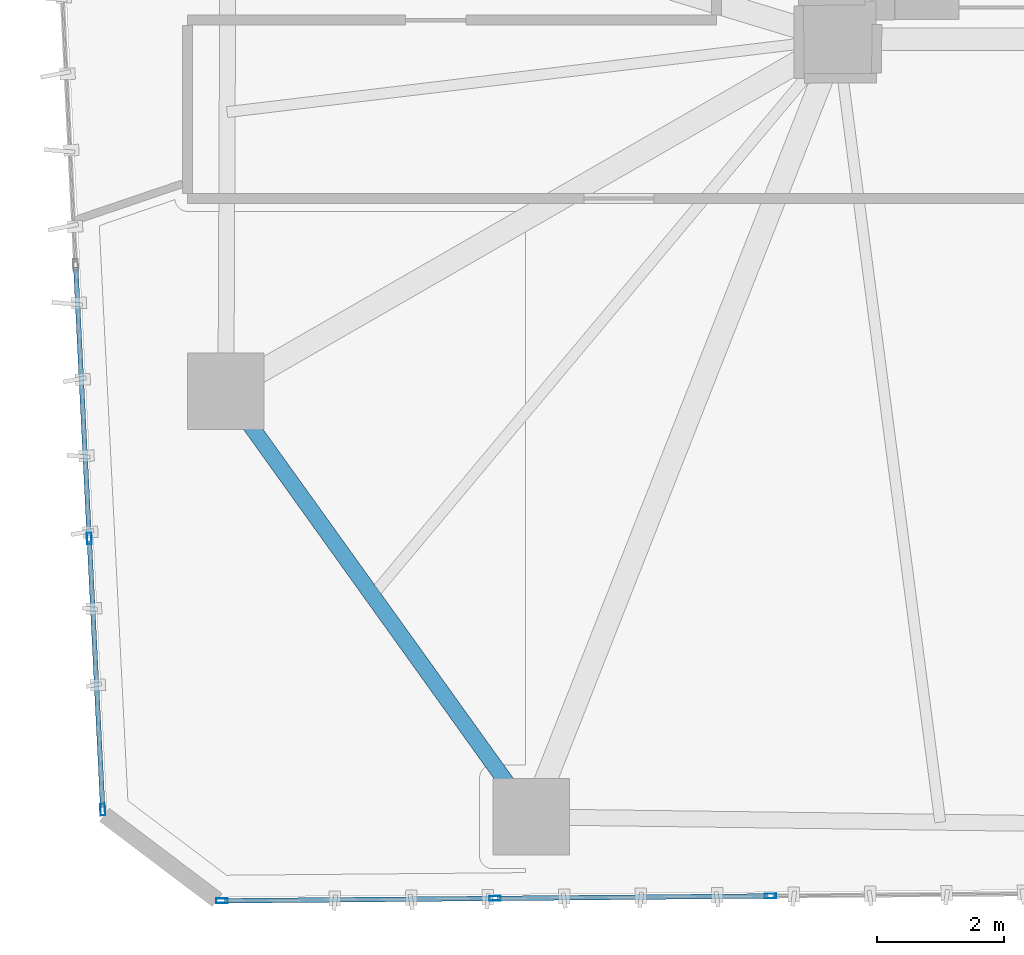
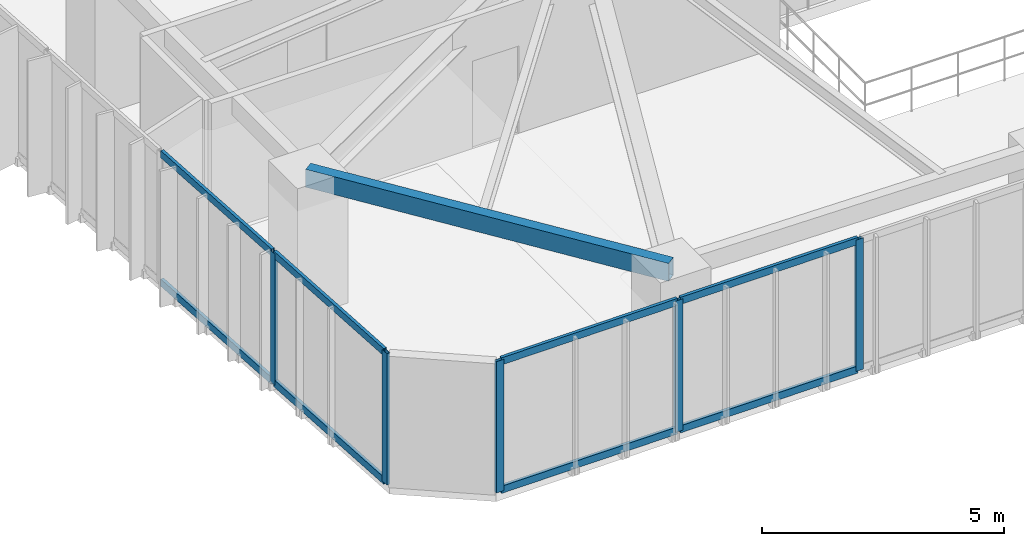
# One storey, part 2 of 21: 13 members, 1 beam, 2 elements without a shape of their own.
"""IFC4 building model written with IfcOpenShell, lengths in metres."""

from ifc_helpers import new_model, si_unit, direction, frame, origin, origin_2d, place, context, subcontext, project, spatial, hollow_rectangle, extrude, source, transform, mapped, material, layer, layer_set, material_profile, profile_set, type_object, type_shapes, element, aggregate, save


model = new_model("IFC4")

# Units and contexts
model_context = context("Model", 3, precision=1e-05, world=origin(), true_north=direction((0.0, 1.0)))
body_context = subcontext(model_context, "Body", "Model", "MODEL_VIEW")
ifc_project = project(units=[si_unit("LENGTHUNIT", "METRE"), si_unit("AREAUNIT", "SQUARE_METRE"), si_unit("VOLUMEUNIT", "CUBIC_METRE"), si_unit("PLANEANGLEUNIT", "RADIAN"), si_unit("MASSUNIT", "GRAM", prefix="KILO")], contexts=[model_context])

# Site, building, storey
site_placement = place(None, origin())
site = spatial("IfcSite", under=ifc_project, at=site_placement, CompositionType="ELEMENT")
building_placement = place(site_placement, origin())
building = spatial("IfcBuilding", under=site, at=building_placement, Name="Talar Marvaseh", CompositionType="ELEMENT")
storey_placement = place(building_placement, frame((0.0, 0.0, 93.0)))
storey = spatial("IfcBuildingStorey", under=building, at=storey_placement, Name="L23", CompositionType="ELEMENT", Elevation=93.0)

# Beam
ifc_material_1 = material(Name="Steel S355", Category="steel")
ifc_material_profile_1 = material_profile(ifc_material_1, hollow_rectangle(XDim=0.25, YDim=0.449951171875, WallThickness=0.01611328125, at=origin_2d()), Name="RHS450x250x16")
ifc_profile_set_1 = profile_set([ifc_material_profile_1], Name="Steel S355")
beam_type = type_object("IfcBeamType", Name="Zone 2 Perimeter Spandrel Beam RHS450x250x16", PredefinedType="SPANDREL", material=ifc_profile_set_1)
beam_placement = place(storey_placement, frame((13.89111328125, 13.299072265625, 3.0849609375), z_axis=(-0.582852871994, 0.812577706812, 0.0), x_axis=(-0.812577706812, -0.582852871994, 0.0)))
element("IfcBeam", 1, at=beam_placement, inside=storey, type_object=beam_type, Name="L23 Zone 2 Perimeter Spandrel Beam RHS450x250x16", PredefinedType="SPANDREL", context=body_context, shape_type="SweptSolid", body=[
    extrude(hollow_rectangle(XDim=0.25, YDim=0.449951171875, WallThickness=0.01611328125, at=origin_2d()), origin(), (0.0, 0.0, 1.0), 8.21826171875),
])

# Curtain wall, members
ifc_material_2 = material(Name="Architectural Aluminium", Category="aluminium")
ifc_layer = layer(ifc_material_2, 0.199951171875)
ifc_layer_set = layer_set([ifc_layer], Name="Architectural Aluminium")
curtain_wall_type = type_object("IfcCurtainWallType", Name="Unitised Acoustic Library Curtain Wall Z2", PredefinedType="NOTDEFINED", material=ifc_layer_set)
curtain_wall_1_placement = place(storey_placement, origin())
curtain_wall_1 = element("IfcCurtainWall", 2, at=curtain_wall_1_placement, inside=storey, type_object=curtain_wall_type, Name="L23 Unitised Acoustic Library Curtain Wall Z2", PredefinedType="NOTDEFINED")
ifc_material_profile_2 = material_profile(ifc_material_2, hollow_rectangle(XDim=0.074951171875, YDim=0.179931640625, WallThickness=0.0048828125, at=origin_2d()), Name="RHS180x75x5")
ifc_profile_set_2 = profile_set([ifc_material_profile_2], Name="Architectural Aluminium")
member_type_1 = type_object("IfcMemberType", Name="Unitised Curtain Wall Standard Mullion RHS180x75x5", PredefinedType="MULLION", material=ifc_profile_set_2)
shared_shape_1 = source(origin(), body_context, "Body", "SweptSolid", [
    extrude(hollow_rectangle(XDim=0.074951171875, YDim=0.179931640625, WallThickness=0.0048828125, at=origin_2d()), origin(), (0.0, 0.0, 1.0), 3.31005859375),
])
type_shapes(member_type_1, [shared_shape_1])
member_1_placement = place(storey_placement, frame((7.1689453125, 13.412353515625, 0.0), z_axis=(0.0, 0.0, 1.0), x_axis=(-0.998766283229, -0.049657944832, 0.0)))
member_1 = element("IfcMember", 3, at=member_1_placement, type_object=member_type_1, Name="CW-Z2 mullion 1", PredefinedType="MULLION", context=body_context, shape_type="MappedRepresentation", body=[
    mapped(shared_shape_1, transform((0.0, 0.0, 0.0), x_axis=(1.0, 0.0, 0.0), y_axis=(0.0, 1.0, 0.0), z_axis=(0.0, 0.0, 1.0), scale=1.0)),
])
member_2_placement = place(storey_placement, frame((6.957275390625, 17.66748046875, 0.0), z_axis=(0.0, 0.0, 1.0), x_axis=(-0.998766283229, -0.049657944832, 0.0)))
member_2 = element("IfcMember", 4, at=member_2_placement, type_object=member_type_1, Name="CW-Z2 mullion 2", PredefinedType="MULLION", context=body_context, shape_type="MappedRepresentation", body=[
    mapped(shared_shape_1, transform((0.0, 0.0, 0.0), x_axis=(1.0, 0.0, 0.0), y_axis=(0.0, 1.0, 0.0), z_axis=(0.0, 0.0, 1.0), scale=1.0)),
])

curtain_wall_2_placement = place(storey_placement, origin())
curtain_wall_2 = element("IfcCurtainWall", 5, at=curtain_wall_2_placement, inside=storey, type_object=curtain_wall_type, Name="L23 Unitised Acoustic Library Curtain Wall Z2", PredefinedType="NOTDEFINED")
member_3_placement = place(storey_placement, frame((17.646240234375, 12.05859375, 0.0), z_axis=(0.0, 0.0, 1.0), x_axis=(0.008881630353, -0.999960557543, 0.0)))
member_3 = element("IfcMember", 6, at=member_3_placement, type_object=member_type_1, Name="CW-Z2 mullion 4", PredefinedType="MULLION", context=body_context, shape_type="MappedRepresentation", body=[
    mapped(shared_shape_1, transform((0.0, 0.0, 0.0), x_axis=(1.0, 0.0, 0.0), y_axis=(0.0, 1.0, 0.0), z_axis=(0.0, 0.0, 1.0), scale=1.0)),
])
member_4_placement = place(storey_placement, frame((13.322998046875, 12.020263671875, 0.0), z_axis=(0.0, 0.0, 1.0), x_axis=(0.008881630353, -0.999960557543, 0.0)))
member_4 = element("IfcMember", 7, at=member_4_placement, type_object=member_type_1, Name="CW-Z2 mullion 5", PredefinedType="MULLION", context=body_context, shape_type="MappedRepresentation", body=[
    mapped(shared_shape_1, transform((0.0, 0.0, 0.0), x_axis=(1.0, 0.0, 0.0), y_axis=(0.0, 1.0, 0.0), z_axis=(0.0, 0.0, 1.0), scale=1.0)),
])
member_5_placement = place(storey_placement, frame((9.037109375, 11.982177734375, 0.0), z_axis=(0.0, 0.0, 1.0), x_axis=(0.008881630353, -0.999960557543, 0.0)))
member_5 = element("IfcMember", 8, at=member_5_placement, type_object=member_type_1, Name="CW-Z2 mullion 6", PredefinedType="MULLION", context=body_context, shape_type="MappedRepresentation", body=[
    mapped(shared_shape_1, transform((0.0, 0.0, 0.0), x_axis=(1.0, 0.0, 0.0), y_axis=(0.0, 1.0, 0.0), z_axis=(0.0, 0.0, 1.0), scale=1.0)),
])

# Member
ifc_material_profile_3 = material_profile(ifc_material_2, hollow_rectangle(XDim=0.074951171875, YDim=0.179931640625, WallThickness=0.0048828125, at=origin_2d()), Name="RHS180x75x5")
ifc_profile_set_3 = profile_set([ifc_material_profile_3], Name="Architectural Aluminium")
member_type_2 = type_object("IfcMemberType", Name="Unitised Curtain Wall Transom RHS180x75x5", PredefinedType="USERDEFINED", material=ifc_profile_set_3)
shared_shape_2 = source(origin(), body_context, "Body", "SweptSolid", [
    extrude(hollow_rectangle(XDim=0.074951171875, YDim=0.179931640625, WallThickness=0.0048828125, at=origin_2d()), origin(), (0.0, 0.0, 1.0), 4.185302734375),
])
member_6_placement = place(storey_placement, frame((7.1669921875, 13.449951171875, 0.03759765625), z_axis=(-0.049640861448, 0.998767132456, 0.0), x_axis=(-0.998767132456, -0.049640861448, 0.0)))
member_6 = element("IfcMember", 9, at=member_6_placement, type_object=member_type_2, Name="CW-Z2 transom 1.1", ObjectType="TRANSOM", PredefinedType="USERDEFINED", context=body_context, shape_type="MappedRepresentation", body=[
    mapped(shared_shape_2, transform((0.0, 0.0, 0.0), x_axis=(1.0, 0.0, 0.0), y_axis=(0.0, 1.0, 0.0), z_axis=(0.0, 0.0, 1.0), scale=1.0)),
])

member_7_placement = place(storey_placement, frame((7.1669921875, 13.449951171875, 3.2724609375), z_axis=(-0.049640861448, 0.998767132456, 0.0), x_axis=(-0.998767132456, -0.049640861448, 0.0)))
member_7 = element("IfcMember", 10, at=member_7_placement, type_object=member_type_2, Name="CW-Z2 transom 1.2", ObjectType="TRANSOM", PredefinedType="USERDEFINED", context=body_context, shape_type="MappedRepresentation", body=[
    mapped(shared_shape_2, transform((0.0, 0.0, 0.0), x_axis=(1.0, 0.0, 0.0), y_axis=(0.0, 1.0, 0.0), z_axis=(0.0, 0.0, 1.0), scale=1.0)),
])

shared_shape_3 = source(origin(), body_context, "Body", "SweptSolid", [
    extrude(hollow_rectangle(XDim=0.074951171875, YDim=0.179931640625, WallThickness=0.0048828125, at=origin_2d()), origin(), (0.0, 0.0, 1.0), 4.222900390625),
])
member_8_placement = place(storey_placement, frame((6.955322265625, 17.705078125, 0.03759765625), z_axis=(-0.049660807769, 0.998766140882, 0.0), x_axis=(-0.998766140882, -0.049660807769, 0.0)))
member_8 = element("IfcMember", 11, at=member_8_placement, type_object=member_type_2, Name="CW-Z2 transom 2.1", ObjectType="TRANSOM", PredefinedType="USERDEFINED", context=body_context, shape_type="MappedRepresentation", body=[
    mapped(shared_shape_3, transform((0.0, 0.0, 0.0), x_axis=(1.0, 0.0, 0.0), y_axis=(0.0, 1.0, 0.0), z_axis=(0.0, 0.0, 1.0), scale=1.0)),
])

member_9_placement = place(storey_placement, frame((6.955322265625, 17.705078125, 3.2724609375), z_axis=(-0.049660807769, 0.998766140882, 0.0), x_axis=(-0.998766140882, -0.049660807769, 0.0)))
member_9 = element("IfcMember", 12, at=member_9_placement, type_object=member_type_2, Name="CW-Z2 transom 2.2", ObjectType="TRANSOM", PredefinedType="USERDEFINED", context=body_context, shape_type="MappedRepresentation", body=[
    mapped(shared_shape_3, transform((0.0, 0.0, 0.0), x_axis=(1.0, 0.0, 0.0), y_axis=(0.0, 1.0, 0.0), z_axis=(0.0, 0.0, 1.0), scale=1.0)),
])

aggregate(curtain_wall_1, [member_1, member_2, member_6, member_7, member_8, member_9])

shared_shape_4 = source(origin(), body_context, "Body", "SweptSolid", [
    extrude(hollow_rectangle(XDim=0.074951171875, YDim=0.179931640625, WallThickness=0.0048828125, at=origin_2d()), origin(), (0.0, 0.0, 1.0), 4.2109375),
])
member_10_placement = place(storey_placement, frame((13.285400390625, 12.019775390625, 0.03759765625), z_axis=(-0.999960654044, -0.008870758977, 0.0), x_axis=(0.008870758977, -0.999960654044, 0.0)))
member_10 = element("IfcMember", 13, at=member_10_placement, type_object=member_type_2, Name="CW-Z2 transom 5.1", ObjectType="TRANSOM", PredefinedType="USERDEFINED", context=body_context, shape_type="MappedRepresentation", body=[
    mapped(shared_shape_4, transform((0.0, 0.0, 0.0), x_axis=(1.0, 0.0, 0.0), y_axis=(0.0, 1.0, 0.0), z_axis=(0.0, 0.0, 1.0), scale=1.0)),
])

member_11_placement = place(storey_placement, frame((13.285400390625, 12.019775390625, 3.2724609375), z_axis=(-0.999960654044, -0.008870758977, 0.0), x_axis=(0.008870758977, -0.999960654044, 0.0)))
member_11 = element("IfcMember", 14, at=member_11_placement, type_object=member_type_2, Name="CW-Z2 transom 5.2", ObjectType="TRANSOM", PredefinedType="USERDEFINED", context=body_context, shape_type="MappedRepresentation", body=[
    mapped(shared_shape_4, transform((0.0, 0.0, 0.0), x_axis=(1.0, 0.0, 0.0), y_axis=(0.0, 1.0, 0.0), z_axis=(0.0, 0.0, 1.0), scale=1.0)),
])

shared_shape_5 = source(origin(), body_context, "Body", "SweptSolid", [
    extrude(hollow_rectangle(XDim=0.074951171875, YDim=0.179931640625, WallThickness=0.0048828125, at=origin_2d()), origin(), (0.0, 0.0, 1.0), 4.248779296875),
])
type_shapes(member_type_2, [shared_shape_2, shared_shape_3, shared_shape_4, shared_shape_5])
member_12_placement = place(storey_placement, frame((17.60888671875, 12.058349609375, 0.03759765625), z_axis=(-0.999960334838, -0.008906668883, 0.0), x_axis=(0.008906668883, -0.999960334838, 0.0)))
member_12 = element("IfcMember", 15, at=member_12_placement, type_object=member_type_2, Name="CW-Z2 transom 4.1", ObjectType="TRANSOM", PredefinedType="USERDEFINED", context=body_context, shape_type="MappedRepresentation", body=[
    mapped(shared_shape_5, transform((0.0, 0.0, 0.0), x_axis=(1.0, 0.0, 0.0), y_axis=(0.0, 1.0, 0.0), z_axis=(0.0, 0.0, 1.0), scale=1.0)),
])

member_13_placement = place(storey_placement, frame((17.60888671875, 12.058349609375, 3.2724609375), z_axis=(-0.999960334838, -0.008906668883, 0.0), x_axis=(0.008906668883, -0.999960334838, 0.0)))
member_13 = element("IfcMember", 16, at=member_13_placement, type_object=member_type_2, Name="CW-Z2 transom 4.2", ObjectType="TRANSOM", PredefinedType="USERDEFINED", context=body_context, shape_type="MappedRepresentation", body=[
    mapped(shared_shape_5, transform((0.0, 0.0, 0.0), x_axis=(1.0, 0.0, 0.0), y_axis=(0.0, 1.0, 0.0), z_axis=(0.0, 0.0, 1.0), scale=1.0)),
])

aggregate(curtain_wall_2, [member_3, member_4, member_5, member_12, member_13, member_10, member_11])

save(model, "model.ifc")
